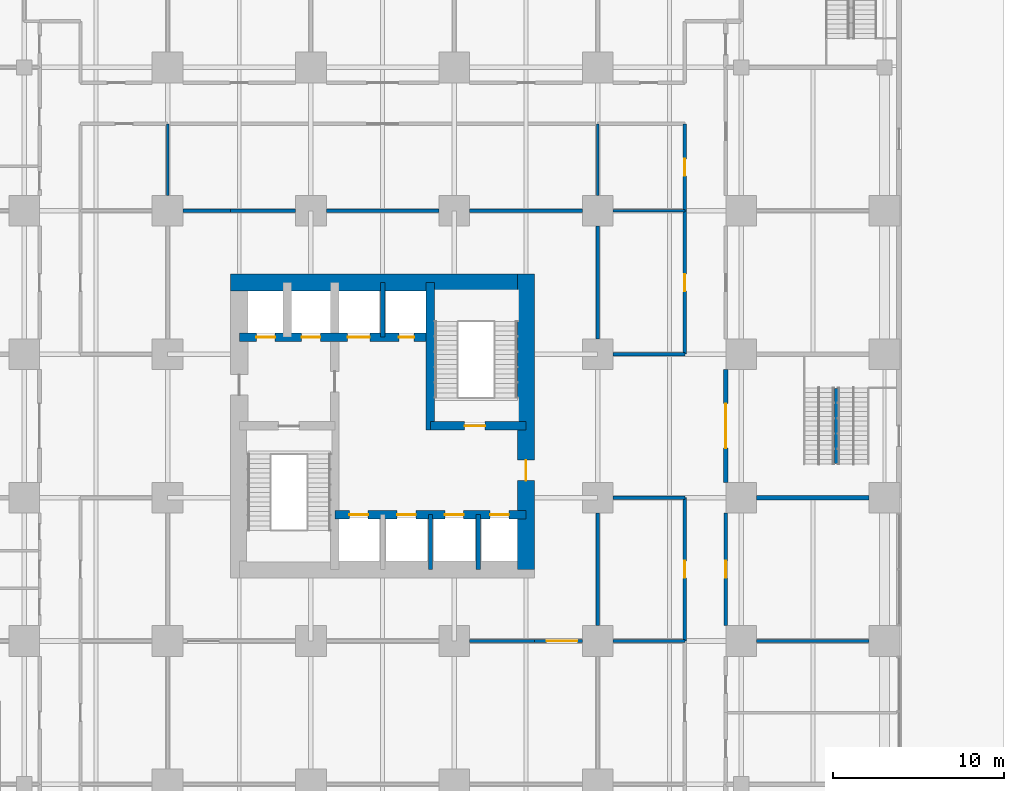
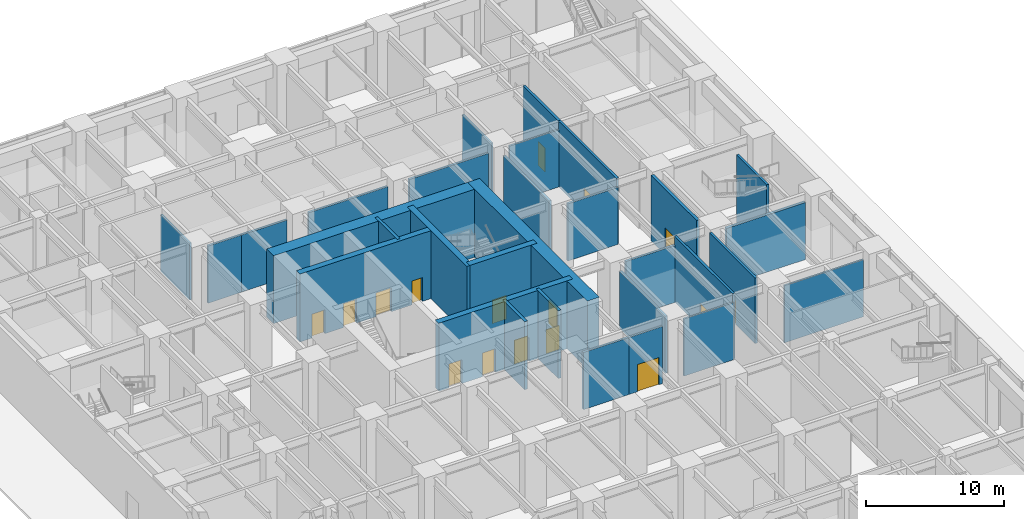
# One storey, part 14 of 21: 31 walls, 16 doors, 16 openings.
"""IFC4 building model written with IfcOpenShell, lengths in metres."""

import ifcopenshell
import ifcopenshell.guid

model = None  # the IFC model being written
_history = None  # IfcOwnerHistory: only IFC2X3 demands one
_inside = {}  # id of a spatial element -> (the spatial element, [elements in it])
_under = {}  # id of a project, library or spatial element -> (it, [spatial elements below it])
_declared = {}  # id of a project -> (the project, [libraries it declares])
_typed = {}  # id of a type object -> (the type object, [elements of that type])
_made_of = {}  # id of a material, layer set ... -> (it, [elements and type objects made of it])


def new_model(schema):
    """Start an empty IFC model of exactly this schema.

    Asked for "IFC4X3", IfcOpenShell would pick the latest addendum, in which some entities
    have other attributes; the version numbers below select the first issue.
    IFC2X3 requires an IfcOwnerHistory on every rooted entity: one is made here for all.
    """
    global model, _history
    if schema == "IFC4X3":
        model = ifcopenshell.file(schema_version=(4, 3, 0, 0))
    else:
        model = ifcopenshell.file(schema=schema)
    _inside.clear()
    _under.clear()
    _declared.clear()
    _typed.clear()
    _made_of.clear()
    _history = None
    if model.schema == "IFC2X3":
        org = make("IfcOrganization", Name="unknown")
        user = make(
            "IfcPersonAndOrganization",
            ThePerson=make("IfcPerson", FamilyName="unknown"),
            TheOrganization=org,
        )
        app = make(
            "IfcApplication",
            ApplicationDeveloper=org,
            Version="unknown",
            ApplicationFullName="unknown",
            ApplicationIdentifier="unknown",
        )
        _history = make(
            "IfcOwnerHistory",
            OwningUser=user,
            OwningApplication=app,
            ChangeAction="ADDED",
            CreationDate=0,
        )
    return model


def make(cls, **values):
    """One entity of the class cls with the attributes given. An attribute that is None is left unset."""
    return model.create_entity(
        cls, **{name: value for name, value in values.items() if value is not None}
    )


def rooted(cls, **values):
    """An entity with a GlobalId (a new one), such as an element, a storey or a relation."""
    return make(cls, GlobalId=ifcopenshell.guid.new(), OwnerHistory=_history, **values)


def si_unit(unit_type, name, prefix=None):
    """IfcSIUnit, for example si_unit("LENGTHUNIT", "METRE", prefix="MILLI")."""
    return make("IfcSIUnit", UnitType=unit_type, Prefix=prefix, Name=name)


def assignment(units):
    """IfcUnitAssignment: the units of a project."""
    return None if units is None else make("IfcUnitAssignment", Units=units)


def point(xyz):
    """IfcCartesianPoint."""
    return None if xyz is None else make("IfcCartesianPoint", Coordinates=xyz)


def direction(xyz):
    """IfcDirection."""
    return None if xyz is None else make("IfcDirection", DirectionRatios=xyz)


def frame(location, z_axis=None, x_axis=None):
    """IfcAxis2Placement3D, a coordinate frame: its origin and axes. An axis left out is left unset."""
    return make(
        "IfcAxis2Placement3D",
        Location=point(location),
        Axis=direction(z_axis),
        RefDirection=direction(x_axis),
    )


def frame_2d(location, x_axis=None):
    """IfcAxis2Placement2D, a coordinate frame in the plane: its origin and x axis."""
    return make(
        "IfcAxis2Placement2D", Location=point(location), RefDirection=direction(x_axis)
    )


def origin():
    """The frame at (0, 0, 0) with its axes left unset."""
    return frame((0.0, 0.0, 0.0))


def place(relative_to, where):
    """IfcLocalPlacement: puts the frame where relative to a parent placement (None: the world)."""
    return make(
        "IfcLocalPlacement", PlacementRelTo=relative_to, RelativePlacement=where
    )


def context(
    kind, dimensions, precision=None, world=None, true_north=None, identifier=None
):
    """IfcGeometricRepresentationContext, for example the 3D "Model" context."""
    return make(
        "IfcGeometricRepresentationContext",
        ContextIdentifier=identifier,
        ContextType=kind,
        CoordinateSpaceDimension=dimensions,
        Precision=precision,
        WorldCoordinateSystem=world,
        TrueNorth=true_north,
    )


def subcontext(parent, identifier, kind, view, scale=None):
    """IfcGeometricRepresentationSubContext, for example "Body" below "Model"."""
    return make(
        "IfcGeometricRepresentationSubContext",
        ContextIdentifier=identifier,
        ContextType=kind,
        ParentContext=parent,
        TargetScale=scale,
        TargetView=view,
    )


def project(units=None, contexts=None):
    """IfcProject with its units and contexts."""
    return rooted(
        "IfcProject",
        Name="project",
        RepresentationContexts=contexts,
        UnitsInContext=assignment(units),
    )


def spatial(cls, under=None, at=None, **own):
    """A site, building, storey or space (cls), placed at a placement, below another one or the project."""
    s = rooted(cls, ObjectPlacement=at, **own)
    if under is not None:
        _under.setdefault(under.id(), (under, []))[1].append(s)
    return s


def profile(cls, at=None, kind="AREA", **sizes):
    """A parametric profile (cls). Its sizes go by their IFC names, for example OverallWidth=200.0."""
    return make(cls, ProfileType=kind, Position=at, **sizes)


def rectangle(**sizes):
    """IfcRectangleProfileDef."""
    return profile("IfcRectangleProfileDef", **sizes)


def extrude(swept, where, along, depth):
    """IfcExtrudedAreaSolid: the profile swept, set in the frame where, extruded along a direction by depth."""
    return make(
        "IfcExtrudedAreaSolid",
        SweptArea=swept,
        Position=where,
        ExtrudedDirection=direction(along),
        Depth=depth,
    )


def shape(context_of_items, identifier, shape_type, items):
    """IfcShapeRepresentation: the items that make up one representation, for example the "Body"."""
    return make(
        "IfcShapeRepresentation",
        ContextOfItems=context_of_items,
        RepresentationIdentifier=identifier,
        RepresentationType=shape_type,
        Items=items,
    )


def material(Name=None, Category=None):
    """IfcMaterial."""
    return make("IfcMaterial", Name=Name, Category=Category)


def layer(
    of_material, thickness, ventilated=None, Name=None, Category=None, Priority=None
):
    """IfcMaterialLayer: one layer of a wall or slab, of a material (None: an air gap)."""
    return make(
        "IfcMaterialLayer",
        Material=of_material,
        LayerThickness=thickness,
        IsVentilated=ventilated,
        Name=Name,
        Category=Category,
        Priority=Priority,
    )


def layer_set(layers, Name=None):
    """IfcMaterialLayerSet."""
    return make("IfcMaterialLayerSet", MaterialLayers=layers, LayerSetName=Name)


def made_of(thing, what):
    """Note that an element or type object is made of a material, layer set ...; save() writes the relation."""
    if what is not None:
        _made_of.setdefault(what.id(), (what, []))[1].append(thing)
    return thing


def type_object(cls, material=None, **own):
    """A type object (cls), such as IfcWallType, which elements share."""
    return made_of(rooted(cls, **own), material)


def element(
    cls,
    number,
    at=None,
    inside=None,
    cuts=None,
    type_object=None,
    material=None,
    context=None,
    identifier="Body",
    shape_type=None,
    held_by="IfcProductDefinitionShape",
    body=None,
    shapes=None,
    **own,
):
    """One element of the class cls, such as IfcWall. Its Tag is "e" and its number.

    at: its placement. inside: the storey or other place that contains it. cuts: it is an
    opening in that element (IfcRelVoidsElement). A single representation is given by context,
    identifier, shape_type and body (its items); several are given by shapes. held_by: the class
    of the entity that holds the representations. save() writes the other relations.
    """
    e = rooted(cls, Tag="e%d" % number, ObjectPlacement=at, **own)
    if body is not None:
        shapes = [shape(context, identifier, shape_type, body)]
    if shapes is not None:
        e.Representation = make(held_by, Representations=shapes)
    if inside is not None:
        _inside.setdefault(inside.id(), (inside, []))[1].append(e)
    if cuts is not None:
        rooted(
            "IfcRelVoidsElement", RelatingBuildingElement=cuts, RelatedOpeningElement=e
        )
    if type_object is not None:
        _typed.setdefault(type_object.id(), (type_object, []))[1].append(e)
    return made_of(e, material)


def fill(opening, filler):
    """IfcRelFillsElement: the door or window that sits in an opening."""
    return rooted(
        "IfcRelFillsElement",
        RelatingOpeningElement=opening,
        RelatedBuildingElement=filler,
    )


def aggregate(whole, parts):
    """IfcRelAggregates: a whole, such as a stair, and the parts it consists of."""
    return rooted("IfcRelAggregates", RelatingObject=whole, RelatedObjects=parts)


def save(model, path):
    """Write the relations noted so far, then the file.

    IfcRelAggregates (storeys below a building ...), IfcRelContainedInSpatialStructure (elements
    in a storey), IfcRelDefinesByType, IfcRelAssociatesMaterial and IfcRelDeclares: one each for
    every whole, place, type object, material and project.
    """
    for whole, parts in _under.values():
        aggregate(whole, parts)
    for where, things in _inside.values():
        rooted(
            "IfcRelContainedInSpatialStructure",
            RelatedElements=things,
            RelatingStructure=where,
        )
    for kind, things in _typed.values():
        rooted("IfcRelDefinesByType", RelatedObjects=things, RelatingType=kind)
    for what, things in _made_of.values():
        rooted("IfcRelAssociatesMaterial", RelatedObjects=things, RelatingMaterial=what)
    for by, libraries in _declared.values():
        rooted("IfcRelDeclares", RelatingContext=by, RelatedDefinitions=libraries)
    model.write(path)


model = new_model("IFC4")

# Units and contexts
model_context = context("Model", 3, precision=1e-05, world=origin(), true_north=direction((0.0, 1.0)))
body_context = subcontext(model_context, "Body", "Model", "MODEL_VIEW")
ifc_project = project(units=[si_unit("LENGTHUNIT", "METRE"), si_unit("AREAUNIT", "SQUARE_METRE"), si_unit("VOLUMEUNIT", "CUBIC_METRE"), si_unit("PLANEANGLEUNIT", "RADIAN"), si_unit("MASSUNIT", "GRAM", prefix="KILO")], contexts=[model_context])

# Site, building, storey
site_placement = place(None, origin())
site = spatial("IfcSite", under=ifc_project, at=site_placement, CompositionType="ELEMENT")
building_placement = place(site_placement, origin())
building = spatial("IfcBuilding", under=site, at=building_placement, Name="Torre Alcanfor", CompositionType="ELEMENT")
storey_placement = place(building_placement, origin())
storey = spatial("IfcBuildingStorey", under=building, at=storey_placement, Name="L00", CompositionType="ELEMENT", Elevation=0.0)

# Walls
ifc_material_1 = material(Name="Concrete block masonry, hollow blocks NMX-C-404 9 MPa", Category="masonry")
ifc_layer_1 = layer(ifc_material_1, 0.14990234375)
ifc_layer_set_1 = layer_set([ifc_layer_1], Name="Classroom partition 150")
wall_type_1 = type_object("IfcWallType", Name="Classroom partition 150", PredefinedType="PARTITIONING", material=ifc_layer_set_1)
wall_1_placement = place(storey_placement, frame((51.300048828125, 16.800048828125, 0.0), z_axis=(0.0, 0.0, 1.0), x_axis=(1.0, 0.0, 0.0)))
element("IfcWall", 1, at=wall_1_placement, inside=storey, type_object=wall_type_1, Name="Partition L00-13 / L00-14", PredefinedType="PARTITIONING", context=body_context, shape_type="SweptSolid", body=[
    extrude(rectangle(XDim=6.599853515625, YDim=0.14990234375, at=frame_2d((3.2998046875, 0.0))), origin(), (0.0, 0.0, 1.0), 5.043212890625),
])
for number, where, z_axis, x_axis, name in (
    (2, (42.89990234375, 16.800048828125, 0.0), (0.0, 0.0, 1.0), (1.0, 0.0, 0.0), "Partition L00-I06 / L00-I08"),
    (3, (42.89990234375, 42.0, 0.0), (0.0, 0.0, 1.0), (1.0, 0.0, 0.0), "Partition L00-I10 / L00-I13"),
    (4, (16.800048828125, 47.10009765625, 0.0), (0.0, 0.0, 1.0), (0.0, -1.0, 0.0), "Partition L00-I11 / L00-I12"),
    (5, (42.0, 47.10009765625, 0.0), (0.0, 0.0, 1.0), (0.0, -1.0, 0.0), "Partition L00-I12 / L00-I13"),
):
    element("IfcWall", number, at=place(storey_placement, frame(where, z_axis=z_axis, x_axis=x_axis)), inside=storey, type_object=wall_type_1, Name=name, PredefinedType="PARTITIONING", context=body_context, shape_type="SweptSolid", body=[
        extrude(rectangle(XDim=4.2001953125, YDim=0.14990234375, at=frame_2d((2.10009765625, 0.0))), origin(), (0.0, 0.0, 1.0), 5.043212890625),
    ])

# Wall, openings, doors
ifc_material_2 = material(Name="Concrete f'c 70 MPa", Category="concrete")
ifc_layer_2 = layer(ifc_material_2, 0.5)
ifc_layer_set_2 = layer_set([ifc_layer_2], Name="Core inner wall 500 f'c70")
wall_type_2 = type_object("IfcWallType", Name="Core inner wall 500 f'c70", PredefinedType="SHEAR", material=ifc_layer_set_2)
wall_2_placement = place(storey_placement, frame((21.0, 34.60009765625, 0.0), z_axis=(0.0, 0.0, 1.0), x_axis=(1.0, 0.0, 0.0)))
wall_2 = element("IfcWall", 6, at=wall_2_placement, inside=storey, type_object=wall_type_2, Name="Core wall Y346 L00", PredefinedType="SHEAR", context=body_context, shape_type="SweptSolid", body=[
    extrude(rectangle(XDim=11.199951171875, YDim=0.5, at=frame_2d((5.60009765625, 0.0))), origin(), (0.0, 0.0, 1.0), 6.0),
])
opening_1_placement = place(wall_2_placement, frame((9.35009765625, 0.0, 0.0)))
opening_1 = element("IfcOpeningElement", 7, at=opening_1_placement, cuts=wall_2, Name="Opening D-Q1", PredefinedType="OPENING", context=body_context, shape_type="SweptSolid", body=[
    extrude(rectangle(XDim=0.89990234375, YDim=2.10009765625, at=frame_2d((0.449951171875, 1.050048828125))), frame((0.0, 0.260009765625, 0.0), z_axis=(0.0, -1.0, 0.0), x_axis=(1.0, 0.0, 0.0)), (0.0, 0.0, 1.0), 0.52001953125),
])
opening_2_placement = place(wall_2_placement, frame((1.0, 0.0, 0.0)))
opening_2 = element("IfcOpeningElement", 8, at=opening_2_placement, cuts=wall_2, Name="Opening LD2", PredefinedType="OPENING", context=body_context, shape_type="SweptSolid", body=[
    extrude(rectangle(XDim=1.10009765625, YDim=2.10009765625, at=frame_2d((0.550048828125, 1.050048828125))), frame((0.0, 0.260009765625, 0.0), z_axis=(0.0, -1.0, 0.0), x_axis=(1.0, 0.0, 0.0)), (0.0, 0.0, 1.0), 0.52001953125),
])
opening_3_placement = place(wall_2_placement, frame((3.64990234375, 0.0, 0.0)))
opening_3 = element("IfcOpeningElement", 9, at=opening_3_placement, cuts=wall_2, Name="Opening LD2", PredefinedType="OPENING", context=body_context, shape_type="SweptSolid", body=[
    extrude(rectangle(XDim=1.10009765625, YDim=2.10009765625, at=frame_2d((0.550048828125, 1.050048828125))), frame((0.0, 0.260009765625, 0.0), z_axis=(0.0, -1.0, 0.0), x_axis=(1.0, 0.0, 0.0)), (0.0, 0.0, 1.0), 0.52001953125),
])
opening_4_placement = place(wall_2_placement, frame((6.35009765625, 0.0, 0.0)))
opening_4 = element("IfcOpeningElement", 10, at=opening_4_placement, cuts=wall_2, Name="Opening LD3", PredefinedType="OPENING", context=body_context, shape_type="SweptSolid", body=[
    extrude(rectangle(XDim=1.300048828125, YDim=2.10009765625, at=frame_2d((0.64990234375, 1.050048828125))), frame((0.0, 0.260009765625, 0.0), z_axis=(0.0, -1.0, 0.0), x_axis=(1.0, 0.0, 0.0)), (0.0, 0.0, 1.0), 0.52001953125),
])
ifc_material_3 = material(Name="Galvanised steel sheet ASTM A653", Category="steel")
door_type_1 = type_object("IfcDoorType", Name="Firefighting lift landing door 1100x2100", OperationType="DOUBLE_DOOR_SLIDING", PredefinedType="DOOR", material=ifc_material_3)
door_1_placement = place(opening_2_placement, origin())
door_1 = element("IfcDoor", 11, at=door_1_placement, inside=storey, type_object=door_type_1, Name="Lift landing door FL1 L00", OperationType="DOUBLE_DOOR_SLIDING", OverallHeight=2.10009765625, OverallWidth=1.10009765625, PredefinedType="DOOR", context=body_context, shape_type="SweptSolid", body=[
    extrude(rectangle(XDim=1.10009765625, YDim=2.10009765625, at=frame_2d((0.550048828125, 1.050048828125))), frame((0.0, 0.02490234375, 0.0), z_axis=(0.0, -1.0, 0.0), x_axis=(1.0, 0.0, 0.0)), (0.0, 0.0, 1.0), 0.050048828125),
])
fill(opening_2, door_1)
door_2_placement = place(opening_3_placement, origin())
door_2 = element("IfcDoor", 12, at=door_2_placement, inside=storey, type_object=door_type_1, Name="Lift landing door FL2 L00", OperationType="DOUBLE_DOOR_SLIDING", OverallHeight=2.10009765625, OverallWidth=1.10009765625, PredefinedType="DOOR", context=body_context, shape_type="SweptSolid", body=[
    extrude(rectangle(XDim=1.10009765625, YDim=2.10009765625, at=frame_2d((0.550048828125, 1.050048828125))), frame((0.0, 0.02490234375, 0.0), z_axis=(0.0, -1.0, 0.0), x_axis=(1.0, 0.0, 0.0)), (0.0, 0.0, 1.0), 0.050048828125),
])
fill(opening_3, door_2)
ifc_material_4 = material(Name="Galvanised steel sheet ASTM A653", Category="steel")
door_type_2 = type_object("IfcDoorType", Name="Riser access door FD120 900x2100", OperationType="SINGLE_SWING_LEFT", PredefinedType="DOOR", material=ifc_material_4)
door_3_placement = place(opening_1_placement, origin())
door_3 = element("IfcDoor", 13, at=door_3_placement, inside=storey, type_object=door_type_2, Name="Riser door L00", OperationType="SINGLE_SWING_LEFT", OverallHeight=2.10009765625, OverallWidth=0.89990234375, PredefinedType="DOOR", context=body_context, shape_type="SweptSolid", body=[
    extrude(rectangle(XDim=0.89990234375, YDim=2.10009765625, at=frame_2d((0.449951171875, 1.050048828125))), frame((0.0, 0.02490234375, 0.0), z_axis=(0.0, -1.0, 0.0), x_axis=(1.0, 0.0, 0.0)), (0.0, 0.0, 1.0), 0.050048828125),
])
fill(opening_1, door_3)
ifc_material_5 = material(Name="Galvanised steel sheet ASTM A653", Category="steel")
door_type_3 = type_object("IfcDoorType", Name="Service lift landing door 1300x2100", OperationType="DOUBLE_DOOR_SLIDING", PredefinedType="DOOR", material=ifc_material_5)
door_4_placement = place(opening_4_placement, origin())
door_4 = element("IfcDoor", 14, at=door_4_placement, inside=storey, type_object=door_type_3, Name="Lift landing door SL1 L00", OperationType="DOUBLE_DOOR_SLIDING", OverallHeight=2.10009765625, OverallWidth=1.300048828125, PredefinedType="DOOR", context=body_context, shape_type="SweptSolid", body=[
    extrude(rectangle(XDim=1.300048828125, YDim=2.10009765625, at=frame_2d((0.64990234375, 1.050048828125))), frame((0.0, 0.02490234375, 0.0), z_axis=(0.0, -1.0, 0.0), x_axis=(1.0, 0.0, 0.0)), (0.0, 0.0, 1.0), 0.050048828125),
])
fill(opening_4, door_4)

wall_3_placement = place(storey_placement, frame((26.60009765625, 24.199951171875, 0.0), z_axis=(0.0, 0.0, 1.0), x_axis=(1.0, 0.0, 0.0)))
wall_3 = element("IfcWall", 15, at=wall_3_placement, inside=storey, type_object=wall_type_2, Name="Core wall Y242 L00", PredefinedType="SHEAR", context=body_context, shape_type="SweptSolid", body=[
    extrude(rectangle(XDim=11.199951171875, YDim=0.5, at=frame_2d((5.60009765625, 0.0))), origin(), (0.0, 0.0, 1.0), 6.0),
])
opening_5_placement = place(wall_3_placement, frame((0.85009765625, 0.0, 0.0)))
opening_5 = element("IfcOpeningElement", 16, at=opening_5_placement, cuts=wall_3, Name="Opening LD1", PredefinedType="OPENING", context=body_context, shape_type="SweptSolid", body=[
    extrude(rectangle(XDim=1.10009765625, YDim=2.10009765625, at=frame_2d((0.550048828125, 1.050048828125))), frame((0.0, 0.260009765625, 0.0), z_axis=(0.0, -1.0, 0.0), x_axis=(1.0, 0.0, 0.0)), (0.0, 0.0, 1.0), 0.52001953125),
])
opening_6_placement = place(wall_3_placement, frame((3.64990234375, 0.0, 0.0)))
opening_6 = element("IfcOpeningElement", 17, at=opening_6_placement, cuts=wall_3, Name="Opening LD1", PredefinedType="OPENING", context=body_context, shape_type="SweptSolid", body=[
    extrude(rectangle(XDim=1.10009765625, YDim=2.10009765625, at=frame_2d((0.550048828125, 1.050048828125))), frame((0.0, 0.260009765625, 0.0), z_axis=(0.0, -1.0, 0.0), x_axis=(1.0, 0.0, 0.0)), (0.0, 0.0, 1.0), 0.52001953125),
])
opening_7_placement = place(wall_3_placement, frame((6.449951171875, 0.0, 0.0)))
opening_7 = element("IfcOpeningElement", 18, at=opening_7_placement, cuts=wall_3, Name="Opening LD1", PredefinedType="OPENING", context=body_context, shape_type="SweptSolid", body=[
    extrude(rectangle(XDim=1.10009765625, YDim=2.10009765625, at=frame_2d((0.550048828125, 1.050048828125))), frame((0.0, 0.260009765625, 0.0), z_axis=(0.0, -1.0, 0.0), x_axis=(1.0, 0.0, 0.0)), (0.0, 0.0, 1.0), 0.52001953125),
])
opening_8_placement = place(wall_3_placement, frame((9.10009765625, 0.0, 0.0)))
opening_8 = element("IfcOpeningElement", 19, at=opening_8_placement, cuts=wall_3, Name="Opening LD1", PredefinedType="OPENING", context=body_context, shape_type="SweptSolid", body=[
    extrude(rectangle(XDim=1.10009765625, YDim=2.10009765625, at=frame_2d((0.550048828125, 1.050048828125))), frame((0.0, 0.260009765625, 0.0), z_axis=(0.0, -1.0, 0.0), x_axis=(1.0, 0.0, 0.0)), (0.0, 0.0, 1.0), 0.52001953125),
])
ifc_material_6 = material(Name="Galvanised steel sheet ASTM A653", Category="steel")
door_type_4 = type_object("IfcDoorType", Name="Lift landing door 1100x2100", OperationType="DOUBLE_DOOR_SLIDING", PredefinedType="DOOR", material=ifc_material_6)
door_5_placement = place(opening_5_placement, origin())
door_5 = element("IfcDoor", 20, at=door_5_placement, inside=storey, type_object=door_type_4, Name="Lift landing door PA1 L00", OperationType="DOUBLE_DOOR_SLIDING", OverallHeight=2.10009765625, OverallWidth=1.10009765625, PredefinedType="DOOR", context=body_context, shape_type="SweptSolid", body=[
    extrude(rectangle(XDim=1.10009765625, YDim=2.10009765625, at=frame_2d((0.550048828125, 1.050048828125))), frame((0.0, 0.02490234375, 0.0), z_axis=(0.0, -1.0, 0.0), x_axis=(1.0, 0.0, 0.0)), (0.0, 0.0, 1.0), 0.050048828125),
])
fill(opening_5, door_5)
door_6_placement = place(opening_6_placement, origin())
door_6 = element("IfcDoor", 21, at=door_6_placement, inside=storey, type_object=door_type_4, Name="Lift landing door PA2 L00", OperationType="DOUBLE_DOOR_SLIDING", OverallHeight=2.10009765625, OverallWidth=1.10009765625, PredefinedType="DOOR", context=body_context, shape_type="SweptSolid", body=[
    extrude(rectangle(XDim=1.10009765625, YDim=2.10009765625, at=frame_2d((0.550048828125, 1.050048828125))), frame((0.0, 0.02490234375, 0.0), z_axis=(0.0, -1.0, 0.0), x_axis=(1.0, 0.0, 0.0)), (0.0, 0.0, 1.0), 0.050048828125),
])
fill(opening_6, door_6)
door_7_placement = place(opening_7_placement, origin())
door_7 = element("IfcDoor", 22, at=door_7_placement, inside=storey, type_object=door_type_4, Name="Lift landing door PA3 L00", OperationType="DOUBLE_DOOR_SLIDING", OverallHeight=2.10009765625, OverallWidth=1.10009765625, PredefinedType="DOOR", context=body_context, shape_type="SweptSolid", body=[
    extrude(rectangle(XDim=1.10009765625, YDim=2.10009765625, at=frame_2d((0.550048828125, 1.050048828125))), frame((0.0, 0.02490234375, 0.0), z_axis=(0.0, -1.0, 0.0), x_axis=(1.0, 0.0, 0.0)), (0.0, 0.0, 1.0), 0.050048828125),
])
fill(opening_7, door_7)
door_8_placement = place(opening_8_placement, origin())
door_8 = element("IfcDoor", 23, at=door_8_placement, inside=storey, type_object=door_type_4, Name="Lift landing door PA4 L00", OperationType="DOUBLE_DOOR_SLIDING", OverallHeight=2.10009765625, OverallWidth=1.10009765625, PredefinedType="DOOR", context=body_context, shape_type="SweptSolid", body=[
    extrude(rectangle(XDim=1.10009765625, YDim=2.10009765625, at=frame_2d((0.550048828125, 1.050048828125))), frame((0.0, 0.02490234375, 0.0), z_axis=(0.0, -1.0, 0.0), x_axis=(1.0, 0.0, 0.0)), (0.0, 0.0, 1.0), 0.050048828125),
])
fill(opening_8, door_8)

# Wall
wall_4_placement = place(storey_placement, frame((32.199951171875, 29.14990234375, 0.0), z_axis=(0.0, 0.0, 1.0), x_axis=(0.0, 1.0, 0.0)))
element("IfcWall", 24, at=wall_4_placement, inside=storey, type_object=wall_type_2, Name="Core wall X322N L00", PredefinedType="SHEAR", context=body_context, shape_type="SweptSolid", body=[
    extrude(rectangle(XDim=8.650146484375, YDim=0.5, at=frame_2d((4.3251953125, 0.0))), origin(), (0.0, 0.0, 1.0), 6.0),
])

# Wall, opening, door
wall_5_placement = place(storey_placement, frame((32.199951171875, 29.39990234375, 0.0), z_axis=(0.0, 0.0, 1.0), x_axis=(1.0, 0.0, 0.0)))
wall_5 = element("IfcWall", 25, at=wall_5_placement, inside=storey, type_object=wall_type_2, Name="Core wall Y294E L00", PredefinedType="SHEAR", context=body_context, shape_type="SweptSolid", body=[
    extrude(rectangle(XDim=5.60009765625, YDim=0.5, at=frame_2d((2.800048828125, 0.0))), origin(), (0.0, 0.0, 1.0), 6.0),
])
opening_9_placement = place(wall_5_placement, frame((2.0, 0.0, 0.0)))
opening_9 = element("IfcOpeningElement", 26, at=opening_9_placement, cuts=wall_5, Name="Opening D-S2", PredefinedType="OPENING", context=body_context, shape_type="SweptSolid", body=[
    extrude(rectangle(XDim=1.199951171875, YDim=2.10009765625, at=frame_2d((0.60009765625, 1.050048828125))), frame((0.0, 0.260009765625, 0.0), z_axis=(0.0, -1.0, 0.0), x_axis=(1.0, 0.0, 0.0)), (0.0, 0.0, 1.0), 0.52001953125),
])
ifc_material_7 = material(Name="Galvanised steel sheet ASTM A653", Category="steel")
door_type_5 = type_object("IfcDoorType", Name="Stair enclosure door FD120 1200x2100", OperationType="SINGLE_SWING_LEFT", PredefinedType="DOOR", material=ifc_material_7)
door_9_placement = place(opening_9_placement, frame((1.199951171875, 0.0, 0.0), z_axis=(0.0, 0.0, 1.0), x_axis=(-1.0, 0.0, 0.0)))
door_9 = element("IfcDoor", 27, at=door_9_placement, inside=storey, type_object=door_type_5, Name="Stair S2 door L00", OperationType="SINGLE_SWING_RIGHT", OverallHeight=2.10009765625, OverallWidth=1.199951171875, PredefinedType="DOOR", context=body_context, shape_type="SweptSolid", body=[
    extrude(rectangle(XDim=1.199951171875, YDim=2.10009765625, at=frame_2d((0.599853515625, 1.050048828125))), frame((0.0, 0.025146484375, 0.0), z_axis=(0.0, -1.0, 0.0), x_axis=(1.0, 0.0, 0.0)), (0.0, 0.0, 1.0), 0.050048828125),
])
fill(opening_9, door_9)

# Walls
ifc_material_8 = material(Name="Concrete f'c 70 MPa", Category="concrete")
ifc_layer_3 = layer(ifc_material_8, 0.25)
ifc_layer_set_3 = layer_set([ifc_layer_3], Name="Core shaft wall 250 f'c70")
wall_type_3 = type_object("IfcWallType", Name="Core shaft wall 250 f'c70", PredefinedType="SHEAR", material=ifc_layer_set_3)
for number, where, z_axis, x_axis, name in (
    (28, (32.199951171875, 21.0, 0.0), (0.0, 0.0, 1.0), (0.0, 1.0, 0.0), "Core wall X322S L00"),
    (29, (35.0, 21.0, 0.0), (0.0, 0.0, 1.0), (0.0, 1.0, 0.0), "Core wall X350S L00"),
    (30, (29.39990234375, 34.60009765625, 0.0), (0.0, 0.0, 1.0), (0.0, 1.0, 0.0), "Core wall X294N L00"),
):
    element("IfcWall", number, at=place(storey_placement, frame(where, z_axis=z_axis, x_axis=x_axis)), inside=storey, type_object=wall_type_3, Name=name, PredefinedType="SHEAR", context=body_context, shape_type="SweptSolid", body=[
        extrude(rectangle(XDim=3.199951171875, YDim=0.25, at=frame_2d((1.60009765625, 0.0))), origin(), (0.0, 0.0, 1.0), 6.0),
    ])

# Wall, opening, door
ifc_material_9 = material(Name="Concrete f'c 70 MPa", Category="concrete")
ifc_layer_4 = layer(ifc_material_9, 1.0)
ifc_layer_set_4 = layer_set([ifc_layer_4], Name="Core wall 1000 f'c70")
wall_type_4 = type_object("IfcWallType", Name="Core wall 1000 f'c70", PredefinedType="SHEAR", material=ifc_layer_set_4)
wall_6_placement = place(storey_placement, frame((37.800048828125, 21.0, 0.0), z_axis=(0.0, 0.0, 1.0), x_axis=(0.0, 1.0, 0.0)))
wall_6 = element("IfcWall", 31, at=wall_6_placement, inside=storey, type_object=wall_type_4, Name="Core wall OUT-E L00", PredefinedType="SHEAR", context=body_context, shape_type="SweptSolid", body=[
    extrude(rectangle(XDim=17.300048828125, YDim=1.0, at=frame_2d((8.64990234375, 0.0))), origin(), (0.0, 0.0, 1.0), 6.0),
])
opening_10_placement = place(wall_6_placement, frame((5.199951171875, 0.0, 0.0)))
opening_10 = element("IfcOpeningElement", 32, at=opening_10_placement, cuts=wall_6, Name="Opening D-L1", PredefinedType="OPENING", context=body_context, shape_type="SweptSolid", body=[
    extrude(rectangle(XDim=1.199951171875, YDim=2.10009765625, at=frame_2d((0.60009765625, 1.050048828125))), frame((0.0, 0.510009765625, 0.0), z_axis=(0.0, -1.0, 0.0), x_axis=(1.0, 0.0, 0.0)), (0.0, 0.0, 1.0), 1.02001953125),
])
ifc_material_10 = material(Name="Galvanised steel sheet ASTM A653", Category="steel")
door_type_6 = type_object("IfcDoorType", Name="Lobby door FD120 1200x2100", OperationType="SINGLE_SWING_LEFT", PredefinedType="DOOR", material=ifc_material_10)
door_10_placement = place(opening_10_placement, frame((1.199951171875, 0.0, 0.0), z_axis=(0.0, 0.0, 1.0), x_axis=(-1.0, 0.0, 0.0)))
door_10 = element("IfcDoor", 33, at=door_10_placement, inside=storey, type_object=door_type_6, Name="Lift lobby entrance door L00", OperationType="SINGLE_SWING_RIGHT", OverallHeight=2.10009765625, OverallWidth=1.199951171875, PredefinedType="DOOR", context=body_context, shape_type="SweptSolid", body=[
    extrude(rectangle(XDim=1.199951171875, YDim=2.10009765625, at=frame_2d((0.599853515625, 1.050048828125))), frame((0.0, 0.025146484375, 0.0), z_axis=(0.0, -1.0, 0.0), x_axis=(1.0, 0.0, 0.0)), (0.0, 0.0, 1.0), 0.050048828125),
])
fill(opening_10, door_10)

# Wall
wall_7_placement = place(storey_placement, frame((37.800048828125, 37.800048828125, 0.0), z_axis=(0.0, 0.0, 1.0), x_axis=(-1.0, 0.0, 0.0)))
element("IfcWall", 34, at=wall_7_placement, inside=storey, type_object=wall_type_4, Name="Core wall OUT-N L00", PredefinedType="SHEAR", context=body_context, shape_type="SweptSolid", body=[
    extrude(rectangle(XDim=17.300048828125, YDim=1.0, at=frame_2d((8.64990234375, 0.0))), origin(), (0.0, 0.0, 1.0), 6.0),
])

# Wall, opening, door
ifc_material_11 = material(Name="Concrete block masonry, hollow blocks NMX-C-404 9 MPa", Category="masonry")
ifc_layer_5 = layer(ifc_material_11, 0.199951171875)
ifc_layer_set_5 = layer_set([ifc_layer_5], Name="School corridor wall 200")
wall_type_5 = type_object("IfcWallType", Name="School corridor wall 200", PredefinedType="PARTITIONING", material=ifc_layer_set_5)
wall_8_placement = place(storey_placement, frame((49.5, 17.699951171875, 0.0), z_axis=(0.0, 0.0, 1.0), x_axis=(0.0, 1.0, 0.0)))
wall_8 = element("IfcWall", 35, at=wall_8_placement, inside=storey, type_object=wall_type_5, Name="Partition L00-14 / L00-CORR", PredefinedType="PARTITIONING", context=body_context, shape_type="SweptSolid", body=[
    extrude(rectangle(XDim=6.60009765625, YDim=0.199951171875, at=frame_2d((3.300048828125, 0.0))), origin(), (0.0, 0.0, 1.0), 5.800048828125),
])
opening_11_placement = place(wall_8_placement, frame((2.800048828125, 0.0, 0.0)))
opening_11 = element("IfcOpeningElement", 36, at=opening_11_placement, cuts=wall_8, Name="Opening D-C1", PredefinedType="OPENING", context=body_context, shape_type="SweptSolid", body=[
    extrude(rectangle(XDim=1.0, YDim=2.10009765625, at=frame_2d((0.5, 1.050048828125))), frame((0.0, 0.10986328125, 0.0), z_axis=(0.0, -1.0, 0.0), x_axis=(1.0, 0.0, 0.0)), (0.0, 0.0, 1.0), 0.219970703125),
])
ifc_material_12 = material(Name="Timber", Category="wood")
door_type_7 = type_object("IfcDoorType", Name="Classroom door 1000x2100", OperationType="SINGLE_SWING_RIGHT", PredefinedType="DOOR", material=ifc_material_12)
door_11_placement = place(opening_11_placement, frame((1.0, 0.0, 0.0), z_axis=(0.0, 0.0, 1.0), x_axis=(-1.0, 0.0, 0.0)))
door_11 = element("IfcDoor", 37, at=door_11_placement, inside=storey, type_object=door_type_7, Name="Door L00-14 counselling room", OperationType="SINGLE_SWING_RIGHT", OverallHeight=2.10009765625, OverallWidth=1.0, PredefinedType="DOOR", context=body_context, shape_type="SweptSolid", body=[
    extrude(rectangle(XDim=1.0, YDim=2.10009765625, at=frame_2d((0.5, 1.050048828125))), frame((0.0, 0.025146484375, 0.0), z_axis=(0.0, -1.0, 0.0), x_axis=(1.0, 0.0, 0.0)), (0.0, 0.0, 1.0), 0.050048828125),
])
fill(opening_11, door_11)

wall_9_placement = place(storey_placement, frame((47.10009765625, 16.800048828125, 0.0), z_axis=(0.0, 0.0, 1.0), x_axis=(0.0, 1.0, 0.0)))
wall_9 = element("IfcWall", 38, at=wall_9_placement, inside=storey, type_object=wall_type_5, Name="Partition L00-CORR / L00-I08", PredefinedType="PARTITIONING", context=body_context, shape_type="SweptSolid", body=[
    extrude(rectangle(XDim=8.39990234375, YDim=0.199951171875, at=frame_2d((4.199951171875, 0.0))), origin(), (0.0, 0.0, 1.0), 5.800048828125),
])
opening_12_placement = place(wall_9_placement, frame((3.699951171875, 0.0, 0.0)))
opening_12 = element("IfcOpeningElement", 39, at=opening_12_placement, cuts=wall_9, Name="Opening D-C1", PredefinedType="OPENING", context=body_context, shape_type="SweptSolid", body=[
    extrude(rectangle(XDim=1.0, YDim=2.10009765625, at=frame_2d((0.5, 1.050048828125))), frame((0.0, 0.10986328125, 0.0), z_axis=(0.0, -1.0, 0.0), x_axis=(1.0, 0.0, 0.0)), (0.0, 0.0, 1.0), 0.219970703125),
])
door_12_placement = place(opening_12_placement, origin())
door_12 = element("IfcDoor", 40, at=door_12_placement, inside=storey, type_object=door_type_7, Name="Door L00-I08 concierge office", OperationType="SINGLE_SWING_LEFT", OverallHeight=2.10009765625, OverallWidth=1.0, PredefinedType="DOOR", context=body_context, shape_type="SweptSolid", body=[
    extrude(rectangle(XDim=1.0, YDim=2.10009765625, at=frame_2d((0.5, 1.050048828125))), frame((0.0, 0.02490234375, 0.0), z_axis=(0.0, -1.0, 0.0), x_axis=(1.0, 0.0, 0.0)), (0.0, 0.0, 1.0), 0.050048828125),
])
fill(opening_12, door_12)

wall_10_placement = place(storey_placement, frame((47.10009765625, 33.60009765625, 0.0), z_axis=(0.0, 0.0, 1.0), x_axis=(0.0, 1.0, 0.0)))
wall_10 = element("IfcWall", 41, at=wall_10_placement, inside=storey, type_object=wall_type_5, Name="Partition L00-CORR / L00-I10", PredefinedType="PARTITIONING", context=body_context, shape_type="SweptSolid", body=[
    extrude(rectangle(XDim=8.39990234375, YDim=0.199951171875, at=frame_2d((4.199951171875, 0.0))), origin(), (0.0, 0.0, 1.0), 5.800048828125),
])
opening_13_placement = place(wall_10_placement, frame((3.699951171875, 0.0, 0.0)))
opening_13 = element("IfcOpeningElement", 42, at=opening_13_placement, cuts=wall_10, Name="Opening D-C1", PredefinedType="OPENING", context=body_context, shape_type="SweptSolid", body=[
    extrude(rectangle(XDim=1.0, YDim=2.10009765625, at=frame_2d((0.5, 1.050048828125))), frame((0.0, 0.10986328125, 0.0), z_axis=(0.0, -1.0, 0.0), x_axis=(1.0, 0.0, 0.0)), (0.0, 0.0, 1.0), 0.219970703125),
])
door_13_placement = place(opening_13_placement, origin())
door_13 = element("IfcDoor", 43, at=door_13_placement, inside=storey, type_object=door_type_7, Name="Door L00-I10 post room", OperationType="SINGLE_SWING_LEFT", OverallHeight=2.10009765625, OverallWidth=1.0, PredefinedType="DOOR", context=body_context, shape_type="SweptSolid", body=[
    extrude(rectangle(XDim=1.0, YDim=2.10009765625, at=frame_2d((0.5, 1.050048828125))), frame((0.0, 0.02490234375, 0.0), z_axis=(0.0, -1.0, 0.0), x_axis=(1.0, 0.0, 0.0)), (0.0, 0.0, 1.0), 0.050048828125),
])
fill(opening_13, door_13)

wall_11_placement = place(storey_placement, frame((47.10009765625, 42.0, 0.0), z_axis=(0.0, 0.0, 1.0), x_axis=(0.0, 1.0, 0.0)))
wall_11 = element("IfcWall", 44, at=wall_11_placement, inside=storey, type_object=wall_type_5, Name="Partition L00-CORR / L00-I13", PredefinedType="PARTITIONING", context=body_context, shape_type="SweptSolid", body=[
    extrude(rectangle(XDim=5.10009765625, YDim=0.199951171875, at=frame_2d((2.550048828125, 0.0))), origin(), (0.0, 0.0, 1.0), 5.800048828125),
])
opening_14_placement = place(wall_11_placement, frame((2.050048828125, 0.0, 0.0)))
opening_14 = element("IfcOpeningElement", 45, at=opening_14_placement, cuts=wall_11, Name="Opening D-C1", PredefinedType="OPENING", context=body_context, shape_type="SweptSolid", body=[
    extrude(rectangle(XDim=1.0, YDim=2.10009765625, at=frame_2d((0.5, 1.050048828125))), frame((0.0, 0.10986328125, 0.0), z_axis=(0.0, -1.0, 0.0), x_axis=(1.0, 0.0, 0.0)), (0.0, 0.0, 1.0), 0.219970703125),
])
door_14_placement = place(opening_14_placement, origin())
door_14 = element("IfcDoor", 46, at=door_14_placement, inside=storey, type_object=door_type_7, Name="Door L00-I13 book store", OperationType="SINGLE_SWING_LEFT", OverallHeight=2.10009765625, OverallWidth=1.0, PredefinedType="DOOR", context=body_context, shape_type="SweptSolid", body=[
    extrude(rectangle(XDim=1.0, YDim=2.10009765625, at=frame_2d((0.5, 1.050048828125))), frame((0.0, 0.02490234375, 0.0), z_axis=(0.0, -1.0, 0.0), x_axis=(1.0, 0.0, 0.0)), (0.0, 0.0, 1.0), 0.050048828125),
])
fill(opening_14, door_14)

# Walls
wall_12_placement = place(storey_placement, frame((38.300048828125, 16.800048828125, 0.0), z_axis=(0.0, 0.0, 1.0), x_axis=(-1.0, 0.0, 0.0)))
element("IfcWall", 47, at=wall_12_placement, inside=storey, type_object=wall_type_5, Name="Partition L00-LLW / L00-I05", PredefinedType="PARTITIONING", context=body_context, shape_type="SweptSolid", body=[
    extrude(rectangle(XDim=3.800048828125, YDim=0.199951171875, at=frame_2d((1.89990234375, 0.0))), origin(), (0.0, 0.0, 1.0), 5.043212890625),
])
wall_13_placement = place(storey_placement, frame((17.699951171875, 42.0, 0.0), z_axis=(0.0, 0.0, 1.0), x_axis=(1.0, 0.0, 0.0)))
element("IfcWall", 48, at=wall_13_placement, inside=storey, type_object=wall_type_5, Name="Partition L00-LLW / L00-I12", PredefinedType="PARTITIONING", context=body_context, shape_type="SweptSolid", body=[
    extrude(rectangle(XDim=2.800048828125, YDim=0.199951171875, at=frame_2d((1.39990234375, 0.0))), origin(), (0.0, 0.0, 1.0), 5.043212890625),
])

# Wall, opening, door
wall_14_placement = place(storey_placement, frame((41.10009765625, 16.800048828125, 0.0), z_axis=(0.0, 0.0, 1.0), x_axis=(-1.0, 0.0, 0.0)))
wall_14 = element("IfcWall", 49, at=wall_14_placement, inside=storey, type_object=wall_type_5, Name="Partition L00-LLE / L00-I05", PredefinedType="PARTITIONING", context=body_context, shape_type="SweptSolid", body=[
    extrude(rectangle(XDim=2.800048828125, YDim=0.199951171875, at=frame_2d((1.39990234375, 0.0))), origin(), (0.0, 0.0, 1.0), 5.043212890625),
])
opening_15_placement = place(wall_14_placement, frame((0.300048828125, 0.0, 0.0)))
opening_15 = element("IfcOpeningElement", 50, at=opening_15_placement, cuts=wall_14, Name="Opening D-C2", PredefinedType="OPENING", context=body_context, shape_type="SweptSolid", body=[
    extrude(rectangle(XDim=1.800048828125, YDim=2.39990234375, at=frame_2d((0.89990234375, 1.199951171875))), frame((0.0, 0.10986328125, 0.0), z_axis=(0.0, -1.0, 0.0), x_axis=(1.0, 0.0, 0.0)), (0.0, 0.0, 1.0), 0.219970703125),
])
ifc_material_13 = material(Name="Timber", Category="wood")
door_type_8 = type_object("IfcDoorType", Name="Double door 1800x2400", OperationType="DOUBLE_DOOR_SINGLE_SWING", PredefinedType="DOOR", material=ifc_material_13)
door_15_placement = place(opening_15_placement, frame((1.800048828125, 0.0, 0.0), z_axis=(0.0, 0.0, 1.0), x_axis=(-1.0, 0.0, 0.0)))
door_15 = element("IfcDoor", 51, at=door_15_placement, inside=storey, type_object=door_type_8, Name="Door L00-I05 dining hall second exit", OperationType="DOUBLE_DOOR_SINGLE_SWING", OverallHeight=2.39990234375, OverallWidth=1.800048828125, PredefinedType="DOOR", context=body_context, shape_type="SweptSolid", body=[
    extrude(rectangle(XDim=1.800048828125, YDim=2.39990234375, at=frame_2d((0.900146484375, 1.199951171875))), frame((0.0, 0.025146484375, 0.0), z_axis=(0.0, -1.0, 0.0), x_axis=(1.0, 0.0, 0.0)), (0.0, 0.0, 1.0), 0.050048828125),
])
fill(opening_15, door_15)

# Walls
wall_15_placement = place(storey_placement, frame((42.0, 24.300048828125, 0.0), z_axis=(0.0, 0.0, 1.0), x_axis=(0.0, -1.0, 0.0)))
element("IfcWall", 52, at=wall_15_placement, inside=storey, type_object=wall_type_5, Name="Partition L00-LLE / L00-I08", PredefinedType="PARTITIONING", context=body_context, shape_type="SweptSolid", body=[
    extrude(rectangle(XDim=6.60009765625, YDim=0.199951171875, at=frame_2d((3.300048828125, 0.0))), origin(), (0.0, 0.0, 1.0), 5.043212890625),
])
wall_16_placement = place(storey_placement, frame((47.10009765625, 25.199951171875, 0.0), z_axis=(0.0, 0.0, 1.0), x_axis=(-1.0, 0.0, 0.0)))
element("IfcWall", 53, at=wall_16_placement, inside=storey, type_object=wall_type_5, Name="Partition L00-LLE / L00-I08", PredefinedType="PARTITIONING", context=body_context, shape_type="SweptSolid", body=[
    extrude(rectangle(XDim=4.2001953125, YDim=0.199951171875, at=frame_2d((2.10009765625, 0.0))), origin(), (0.0, 0.0, 1.0), 5.043212890625),
])
wall_17_placement = place(storey_placement, frame((42.0, 41.10009765625, 0.0), z_axis=(0.0, 0.0, 1.0), x_axis=(0.0, -1.0, 0.0)))
element("IfcWall", 54, at=wall_17_placement, inside=storey, type_object=wall_type_5, Name="Partition L00-LLE / L00-I10", PredefinedType="PARTITIONING", context=body_context, shape_type="SweptSolid", body=[
    extrude(rectangle(XDim=6.60009765625, YDim=0.199951171875, at=frame_2d((3.300048828125, 0.0))), origin(), (0.0, 0.0, 1.0), 5.043212890625),
])
wall_18_placement = place(storey_placement, frame((42.89990234375, 33.60009765625, 0.0), z_axis=(0.0, 0.0, 1.0), x_axis=(1.0, 0.0, 0.0)))
element("IfcWall", 55, at=wall_18_placement, inside=storey, type_object=wall_type_5, Name="Partition L00-LLE / L00-I10", PredefinedType="PARTITIONING", context=body_context, shape_type="SweptSolid", body=[
    extrude(rectangle(XDim=4.2001953125, YDim=0.199951171875, at=frame_2d((2.10009765625, 0.0))), origin(), (0.0, 0.0, 1.0), 5.043212890625),
])
wall_19_placement = place(storey_placement, frame((20.5, 42.0, 0.0), z_axis=(0.0, 0.0, 1.0), x_axis=(1.0, 0.0, 0.0)))
element("IfcWall", 56, at=wall_19_placement, inside=storey, type_object=wall_type_5, Name="Partition L00-LLE / L00-I12", PredefinedType="PARTITIONING", context=body_context, shape_type="SweptSolid", body=[
    extrude(rectangle(XDim=3.800048828125, YDim=0.199951171875, at=frame_2d((1.89990234375, 0.0))), origin(), (0.0, 0.0, 1.0), 5.043212890625),
])
wall_20_placement = place(storey_placement, frame((26.10009765625, 42.0, 0.0), z_axis=(0.0, 0.0, 1.0), x_axis=(1.0, 0.0, 0.0)))
element("IfcWall", 57, at=wall_20_placement, inside=storey, type_object=wall_type_5, Name="Partition L00-LLE / L00-I12", PredefinedType="PARTITIONING", context=body_context, shape_type="SweptSolid", body=[
    extrude(rectangle(XDim=6.599853515625, YDim=0.199951171875, at=frame_2d((3.2998046875, 0.0))), origin(), (0.0, 0.0, 1.0), 5.043212890625),
])
wall_21_placement = place(storey_placement, frame((34.5, 42.0, 0.0), z_axis=(0.0, 0.0, 1.0), x_axis=(1.0, 0.0, 0.0)))
element("IfcWall", 58, at=wall_21_placement, inside=storey, type_object=wall_type_5, Name="Partition L00-LLE / L00-I12", PredefinedType="PARTITIONING", context=body_context, shape_type="SweptSolid", body=[
    extrude(rectangle(XDim=6.60009765625, YDim=0.199951171875, at=frame_2d((3.300048828125, 0.0))), origin(), (0.0, 0.0, 1.0), 5.043212890625),
])
ifc_material_14 = material(Name="Reinforced concrete block masonry, hollow blocks NMX-C-404 9 MPa", Category="masonry")
ifc_layer_6 = layer(ifc_material_14, 0.25)
ifc_layer_set_6 = layer_set([ifc_layer_6], Name="Stair enclosure wall 250 EI 120")
wall_type_6 = type_object("IfcWallType", Name="Stair enclosure wall 250 EI 120", PredefinedType="SOLIDWALL", material=ifc_layer_set_6)
wall_22_placement = place(storey_placement, frame((57.89990234375, 25.199951171875, 0.0), z_axis=(0.0, 0.0, 1.0), x_axis=(-1.0, 0.0, 0.0)))
element("IfcWall", 59, at=wall_22_placement, inside=storey, type_object=wall_type_6, Name="Partition L00-SS2 / L00-14", PredefinedType="SOLIDWALL", context=body_context, shape_type="SweptSolid", body=[
    extrude(rectangle(XDim=6.599853515625, YDim=0.25, at=frame_2d((3.2998046875, 0.0))), origin(), (0.0, 0.0, 1.0), 5.043212890625),
])

# Wall, opening, door
wall_23_placement = place(storey_placement, frame((49.5, 26.10009765625, 0.0), z_axis=(0.0, 0.0, 1.0), x_axis=(0.0, 1.0, 0.0)))
wall_23 = element("IfcWall", 60, at=wall_23_placement, inside=storey, type_object=wall_type_6, Name="Partition L00-SS2 / L00-CORR", PredefinedType="SOLIDWALL", context=body_context, shape_type="SweptSolid", body=[
    extrude(rectangle(XDim=6.599853515625, YDim=0.25, at=frame_2d((3.2998046875, 0.0))), origin(), (0.0, 0.0, 1.0), 5.800048828125),
])
opening_16_placement = place(wall_23_placement, frame((2.0, 0.0, 0.0)))
opening_16 = element("IfcOpeningElement", 61, at=opening_16_placement, cuts=wall_23, Name="Opening D-S4", PredefinedType="OPENING", context=body_context, shape_type="SweptSolid", body=[
    extrude(rectangle(XDim=2.60009765625, YDim=2.39990234375, at=frame_2d((1.300048828125, 1.199951171875))), frame((0.0, 0.135009765625, 0.0), z_axis=(0.0, -1.0, 0.0), x_axis=(1.0, 0.0, 0.0)), (0.0, 0.0, 1.0), 0.27001953125),
])
ifc_material_15 = material(Name="Galvanised steel sheet ASTM A653", Category="steel")
door_type_9 = type_object("IfcDoorType", Name="School stair double door FD120 2600x2400", OperationType="DOUBLE_DOOR_SINGLE_SWING", PredefinedType="DOOR", material=ifc_material_15)
door_16_placement = place(opening_16_placement, origin())
door_16 = element("IfcDoor", 62, at=door_16_placement, inside=storey, type_object=door_type_9, Name="Door L00-SS2 school stair ss2", OperationType="DOUBLE_DOOR_SINGLE_SWING", OverallHeight=2.39990234375, OverallWidth=2.60009765625, PredefinedType="DOOR", context=body_context, shape_type="SweptSolid", body=[
    extrude(rectangle(XDim=2.60009765625, YDim=2.39990234375, at=frame_2d((1.300048828125, 1.199951171875))), frame((0.0, 0.02490234375, 0.0), z_axis=(0.0, -1.0, 0.0), x_axis=(1.0, 0.0, 0.0)), (0.0, 0.0, 1.0), 0.050048828125),
])
fill(opening_16, door_16)

# Wall
ifc_material_16 = material(Name="Concrete f'c 35 MPa", Category="concrete")
ifc_layer_7 = layer(ifc_material_16, 0.199951171875)
ifc_layer_set_7 = layer_set([ifc_layer_7], Name="Stair spine wall 200")
wall_type_7 = type_object("IfcWallType", Name="Stair spine wall 200", PredefinedType="SOLIDWALL", material=ifc_layer_set_7)
wall_24_placement = place(storey_placement, frame((55.969970703125, 27.205078125, 0.0), z_axis=(0.0, 0.0, 1.0), x_axis=(0.0, 1.0, 0.0)))
element("IfcWall", 63, at=wall_24_placement, inside=storey, type_object=wall_type_7, Name="Stair spine wall SS2 L00", PredefinedType="SOLIDWALL", context=body_context, shape_type="SweptSolid", body=[
    extrude(rectangle(XDim=4.3798828125, YDim=0.199951171875, at=frame_2d((2.18994140625, 0.0))), origin(), (0.0, 0.0, 1.0), 6.0),
])

save(model, "model.ifc")
